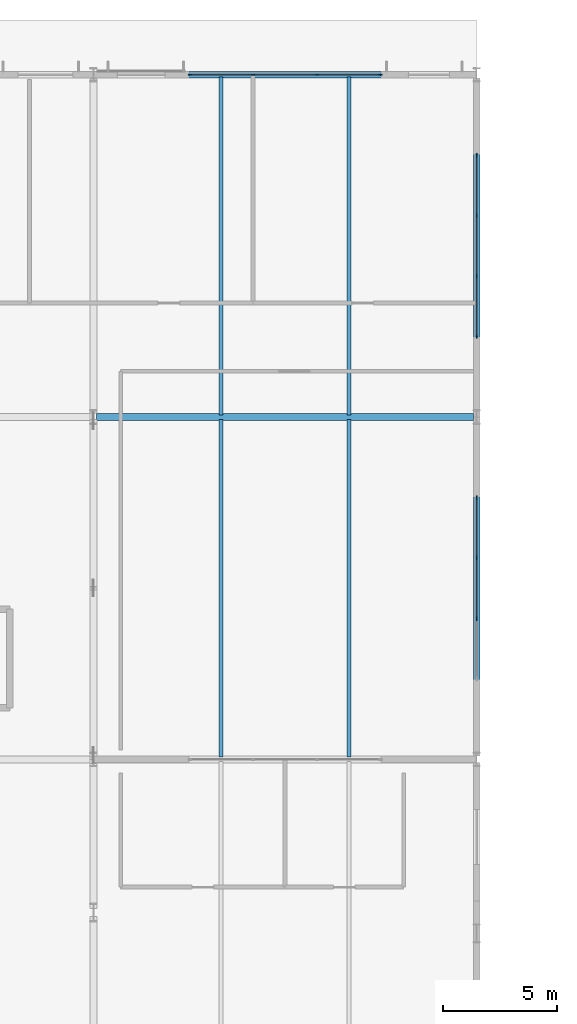
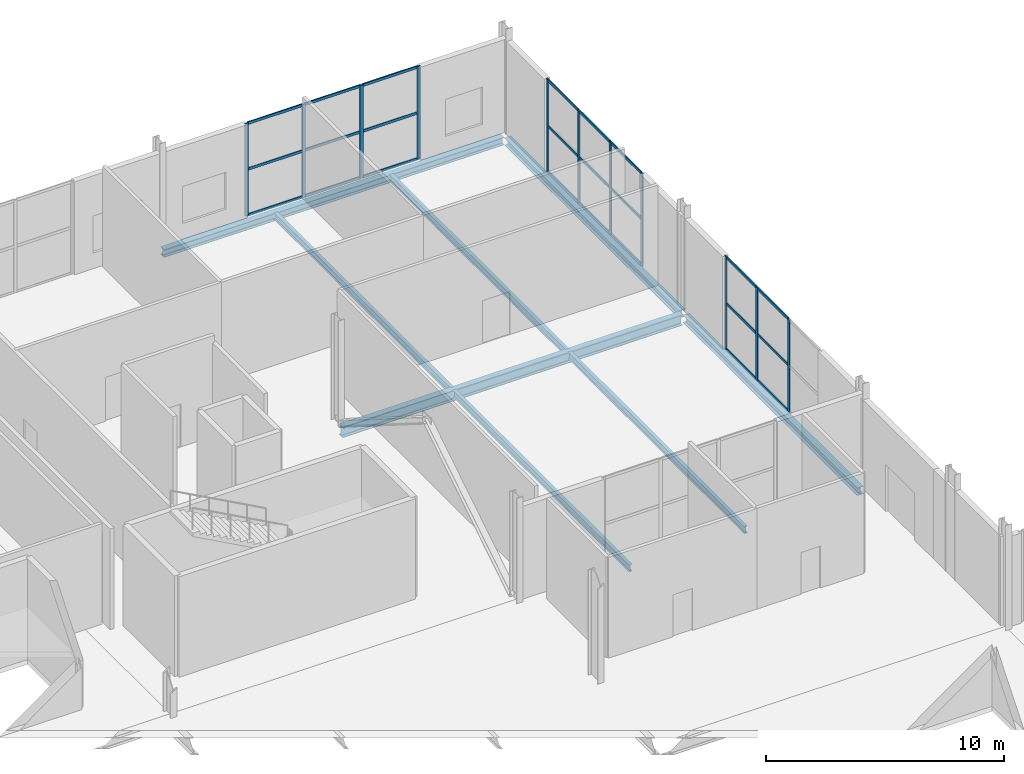
# One storey, part 51 of 87: 35 members, 8 beams, 3 elements without a shape of their own.
"""IFC4 building model written with IfcOpenShell, lengths in metres."""

from ifc_helpers import new_model, si_unit, direction, frame, origin, origin_2d, place, context, subcontext, project, spatial, rectangle, i_section, extrude, material, material_profile, profile_set, type_object, element, aggregate, save


model = new_model("IFC4")

# Units and contexts
model_context = context("Model", 3, precision=1e-05, world=origin(), true_north=direction((0.0, 1.0)))
body_context = subcontext(model_context, "Body", "Model", "MODEL_VIEW")
ifc_project = project(units=[si_unit("LENGTHUNIT", "METRE"), si_unit("AREAUNIT", "SQUARE_METRE"), si_unit("VOLUMEUNIT", "CUBIC_METRE"), si_unit("PLANEANGLEUNIT", "RADIAN"), si_unit("MASSUNIT", "GRAM", prefix="KILO")], contexts=[model_context])

# Site, building, storey
site_placement = place(None, origin())
site = spatial("IfcSite", under=ifc_project, at=site_placement, CompositionType="ELEMENT")
building_placement = place(site_placement, origin())
building = spatial("IfcBuilding", under=site, at=building_placement, Name="Kimbaza Rail Terminus", CompositionType="ELEMENT")
storey_placement = place(building_placement, origin())
storey = spatial("IfcBuildingStorey", under=building, at=storey_placement, Name="L00", CompositionType="ELEMENT", Elevation=0.0)

# Curtain wall, members
ifc_material_1 = material(Name="Anodised aluminium framing and solar low-E glazing", Category="aluminium")
curtain_wall_type = type_object("IfcCurtainWallType", Name="ARC-CW-OP1", PredefinedType="USERDEFINED", material=ifc_material_1)
curtain_wall_1_placement = place(storey_placement, origin())
curtain_wall_1 = element("IfcCurtainWall", 1, at=curtain_wall_1_placement, inside=storey, type_object=curtain_wall_type, Name="Operations North Curtain Wall L00 Bay 6", ObjectType="UNITISED CURTAIN WALL", PredefinedType="USERDEFINED")
ifc_material_2 = material(Name="Anodised architectural aluminium", Category="aluminium")
ifc_material_profile_1 = material_profile(ifc_material_2, rectangle(XDim=0.06201171875, YDim=0.1650390625, at=origin_2d()), Name="MULLION 62x165")
ifc_profile_set_1 = profile_set([ifc_material_profile_1], Name="Anodised architectural aluminium")
member_type_1 = type_object("IfcMemberType", Name="ARC-CWM-05", PredefinedType="MULLION", material=ifc_profile_set_1)
member_1_placement = place(storey_placement, frame((143.430908203125, 133.0, 0.0), z_axis=(0.0, 0.0, 1.0), x_axis=(0.0, 1.0, 0.0)))
member_1 = element("IfcMember", 2, at=member_1_placement, type_object=member_type_1, Name="CW-05 mullion 1", PredefinedType="MULLION", context=body_context, shape_type="SweptSolid", body=[
    extrude(rectangle(XDim=0.06201171875, YDim=0.1650390625, at=origin_2d()), origin(), (0.0, 0.0, 1.0), 4.764892578125),
])
member_2_placement = place(storey_placement, frame((146.199951171875, 133.0, 0.0), z_axis=(0.0, 0.0, 1.0), x_axis=(0.0, 1.0, 0.0)))
member_2 = element("IfcMember", 3, at=member_2_placement, type_object=member_type_1, Name="CW-05 mullion 2", PredefinedType="MULLION", context=body_context, shape_type="SweptSolid", body=[
    extrude(rectangle(XDim=0.06201171875, YDim=0.1650390625, at=origin_2d()), origin(), (0.0, 0.0, 1.0), 4.764892578125),
])
member_3_placement = place(storey_placement, frame((149.0, 133.0, 0.0), z_axis=(0.0, 0.0, 1.0), x_axis=(0.0, 1.0, 0.0)))
member_3 = element("IfcMember", 4, at=member_3_placement, type_object=member_type_1, Name="CW-05 mullion 3", PredefinedType="MULLION", context=body_context, shape_type="SweptSolid", body=[
    extrude(rectangle(XDim=0.06201171875, YDim=0.1650390625, at=origin_2d()), origin(), (0.0, 0.0, 1.0), 4.764892578125),
])
member_4_placement = place(storey_placement, frame((151.76904296875, 133.0, 0.0), z_axis=(0.0, 0.0, 1.0), x_axis=(0.0, 1.0, 0.0)))
member_4 = element("IfcMember", 5, at=member_4_placement, type_object=member_type_1, Name="CW-05 mullion 4", PredefinedType="MULLION", context=body_context, shape_type="SweptSolid", body=[
    extrude(rectangle(XDim=0.06201171875, YDim=0.1650390625, at=origin_2d()), origin(), (0.0, 0.0, 1.0), 4.764892578125),
])

curtain_wall_2_placement = place(storey_placement, origin())
curtain_wall_2 = element("IfcCurtainWall", 6, at=curtain_wall_2_placement, inside=storey, type_object=curtain_wall_type, Name="Operations E Curtain Wall L00.1", ObjectType="UNITISED CURTAIN WALL", PredefinedType="USERDEFINED")
member_5_placement = place(storey_placement, frame((156.0, 109.166748046875, 0.0), z_axis=(0.0, 0.0, 1.0), x_axis=(-1.0, 0.0, 0.0)))
member_5 = element("IfcMember", 7, at=member_5_placement, type_object=member_type_1, Name="CW-05 mullion 2", PredefinedType="MULLION", context=body_context, shape_type="SweptSolid", body=[
    extrude(rectangle(XDim=0.06201171875, YDim=0.1650390625, at=origin_2d()), origin(), (0.0, 0.0, 1.0), 4.764892578125),
])
member_6_placement = place(storey_placement, frame((156.0, 111.833251953125, 0.0), z_axis=(0.0, 0.0, 1.0), x_axis=(-1.0, 0.0, 0.0)))
member_6 = element("IfcMember", 8, at=member_6_placement, type_object=member_type_1, Name="CW-05 mullion 3", PredefinedType="MULLION", context=body_context, shape_type="SweptSolid", body=[
    extrude(rectangle(XDim=0.06201171875, YDim=0.1650390625, at=origin_2d()), origin(), (0.0, 0.0, 1.0), 4.764892578125),
])
member_7_placement = place(storey_placement, frame((156.0, 114.468994140625, 0.0), z_axis=(0.0, 0.0, 1.0), x_axis=(-1.0, 0.0, 0.0)))
member_7 = element("IfcMember", 9, at=member_7_placement, type_object=member_type_1, Name="CW-05 mullion 4", PredefinedType="MULLION", context=body_context, shape_type="SweptSolid", body=[
    extrude(rectangle(XDim=0.06201171875, YDim=0.1650390625, at=origin_2d()), origin(), (0.0, 0.0, 1.0), 4.764892578125),
])

curtain_wall_3_placement = place(storey_placement, origin())
curtain_wall_3 = element("IfcCurtainWall", 10, at=curtain_wall_3_placement, inside=storey, type_object=curtain_wall_type, Name="Operations E Curtain Wall L00.2", ObjectType="UNITISED CURTAIN WALL", PredefinedType="USERDEFINED")
member_8_placement = place(storey_placement, frame((156.0, 121.531005859375, 0.0), z_axis=(0.0, 0.0, 1.0), x_axis=(-1.0, 0.0, 0.0)))
member_8 = element("IfcMember", 11, at=member_8_placement, type_object=member_type_1, Name="CW-05 mullion 1", PredefinedType="MULLION", context=body_context, shape_type="SweptSolid", body=[
    extrude(rectangle(XDim=0.06201171875, YDim=0.1650390625, at=origin_2d()), origin(), (0.0, 0.0, 1.0), 4.764892578125),
])
member_9_placement = place(storey_placement, frame((156.0, 124.166748046875, 0.0), z_axis=(0.0, 0.0, 1.0), x_axis=(-1.0, 0.0, 0.0)))
member_9 = element("IfcMember", 12, at=member_9_placement, type_object=member_type_1, Name="CW-05 mullion 2", PredefinedType="MULLION", context=body_context, shape_type="SweptSolid", body=[
    extrude(rectangle(XDim=0.06201171875, YDim=0.1650390625, at=origin_2d()), origin(), (0.0, 0.0, 1.0), 4.764892578125),
])
member_10_placement = place(storey_placement, frame((156.0, 126.833251953125, 0.0), z_axis=(0.0, 0.0, 1.0), x_axis=(-1.0, 0.0, 0.0)))
member_10 = element("IfcMember", 13, at=member_10_placement, type_object=member_type_1, Name="CW-05 mullion 3", PredefinedType="MULLION", context=body_context, shape_type="SweptSolid", body=[
    extrude(rectangle(XDim=0.06201171875, YDim=0.1650390625, at=origin_2d()), origin(), (0.0, 0.0, 1.0), 4.764892578125),
])
member_11_placement = place(storey_placement, frame((156.0, 129.468994140625, 0.0), z_axis=(0.0, 0.0, 1.0), x_axis=(-1.0, 0.0, 0.0)))
member_11 = element("IfcMember", 14, at=member_11_placement, type_object=member_type_1, Name="CW-05 mullion 4", PredefinedType="MULLION", context=body_context, shape_type="SweptSolid", body=[
    extrude(rectangle(XDim=0.06201171875, YDim=0.1650390625, at=origin_2d()), origin(), (0.0, 0.0, 1.0), 4.764892578125),
])

# Member
ifc_material_3 = material(Name="Anodised architectural aluminium", Category="aluminium")
ifc_material_profile_2 = material_profile(ifc_material_3, rectangle(XDim=0.06201171875, YDim=0.135009765625, at=origin_2d()), Name="TRANSOM 62x135")
ifc_profile_set_2 = profile_set([ifc_material_profile_2], Name="Anodised architectural aluminium")
member_type_2 = type_object("IfcMemberType", Name="ARC-CWT-05", PredefinedType="USERDEFINED", material=ifc_profile_set_2)
member_12_placement = place(storey_placement, frame((143.4619140625, 133.0, 0.031005859375), z_axis=(1.0, 0.0, 0.0), x_axis=(0.0, 1.0, 0.0)))
member_12 = element("IfcMember", 15, at=member_12_placement, type_object=member_type_2, Name="CW-05 transom 1.1", ObjectType="TRANSOM", PredefinedType="USERDEFINED", context=body_context, shape_type="SweptSolid", body=[
    extrude(rectangle(XDim=0.06201171875, YDim=0.135009765625, at=origin_2d()), origin(), (0.0, 0.0, 1.0), 2.70703125),
])

member_13_placement = place(storey_placement, frame((143.4619140625, 133.0, 2.382568359375), z_axis=(1.0, 0.0, 0.0), x_axis=(0.0, 1.0, 0.0)))
member_13 = element("IfcMember", 16, at=member_13_placement, type_object=member_type_2, Name="CW-05 transom 1.2", ObjectType="TRANSOM", PredefinedType="USERDEFINED", context=body_context, shape_type="SweptSolid", body=[
    extrude(rectangle(XDim=0.06201171875, YDim=0.135009765625, at=origin_2d()), origin(), (0.0, 0.0, 1.0), 2.70703125),
])

member_14_placement = place(storey_placement, frame((143.4619140625, 133.0, 4.73388671875), z_axis=(1.0, 0.0, 0.0), x_axis=(0.0, 1.0, 0.0)))
member_14 = element("IfcMember", 17, at=member_14_placement, type_object=member_type_2, Name="CW-05 transom 1.3", ObjectType="TRANSOM", PredefinedType="USERDEFINED", context=body_context, shape_type="SweptSolid", body=[
    extrude(rectangle(XDim=0.06201171875, YDim=0.135009765625, at=origin_2d()), origin(), (0.0, 0.0, 1.0), 2.70703125),
])

member_15_placement = place(storey_placement, frame((146.23095703125, 133.0, 0.031005859375), z_axis=(1.0, 0.0, 0.0), x_axis=(0.0, 1.0, 0.0)))
member_15 = element("IfcMember", 18, at=member_15_placement, type_object=member_type_2, Name="CW-05 transom 2.1", ObjectType="TRANSOM", PredefinedType="USERDEFINED", context=body_context, shape_type="SweptSolid", body=[
    extrude(rectangle(XDim=0.06201171875, YDim=0.135009765625, at=origin_2d()), origin(), (0.0, 0.0, 1.0), 2.738037109375),
])

member_16_placement = place(storey_placement, frame((146.23095703125, 133.0, 2.382568359375), z_axis=(1.0, 0.0, 0.0), x_axis=(0.0, 1.0, 0.0)))
member_16 = element("IfcMember", 19, at=member_16_placement, type_object=member_type_2, Name="CW-05 transom 2.2", ObjectType="TRANSOM", PredefinedType="USERDEFINED", context=body_context, shape_type="SweptSolid", body=[
    extrude(rectangle(XDim=0.06201171875, YDim=0.135009765625, at=origin_2d()), origin(), (0.0, 0.0, 1.0), 2.738037109375),
])

member_17_placement = place(storey_placement, frame((146.23095703125, 133.0, 4.73388671875), z_axis=(1.0, 0.0, 0.0), x_axis=(0.0, 1.0, 0.0)))
member_17 = element("IfcMember", 20, at=member_17_placement, type_object=member_type_2, Name="CW-05 transom 2.3", ObjectType="TRANSOM", PredefinedType="USERDEFINED", context=body_context, shape_type="SweptSolid", body=[
    extrude(rectangle(XDim=0.06201171875, YDim=0.135009765625, at=origin_2d()), origin(), (0.0, 0.0, 1.0), 2.738037109375),
])

member_18_placement = place(storey_placement, frame((149.031005859375, 133.0, 0.031005859375), z_axis=(1.0, 0.0, 0.0), x_axis=(0.0, 1.0, 0.0)))
member_18 = element("IfcMember", 21, at=member_18_placement, type_object=member_type_2, Name="CW-05 transom 3.1", ObjectType="TRANSOM", PredefinedType="USERDEFINED", context=body_context, shape_type="SweptSolid", body=[
    extrude(rectangle(XDim=0.06201171875, YDim=0.135009765625, at=origin_2d()), origin(), (0.0, 0.0, 1.0), 2.70703125),
])

member_19_placement = place(storey_placement, frame((149.031005859375, 133.0, 2.382568359375), z_axis=(1.0, 0.0, 0.0), x_axis=(0.0, 1.0, 0.0)))
member_19 = element("IfcMember", 22, at=member_19_placement, type_object=member_type_2, Name="CW-05 transom 3.2", ObjectType="TRANSOM", PredefinedType="USERDEFINED", context=body_context, shape_type="SweptSolid", body=[
    extrude(rectangle(XDim=0.06201171875, YDim=0.135009765625, at=origin_2d()), origin(), (0.0, 0.0, 1.0), 2.70703125),
])

member_20_placement = place(storey_placement, frame((149.031005859375, 133.0, 4.73388671875), z_axis=(1.0, 0.0, 0.0), x_axis=(0.0, 1.0, 0.0)))
member_20 = element("IfcMember", 23, at=member_20_placement, type_object=member_type_2, Name="CW-05 transom 3.3", ObjectType="TRANSOM", PredefinedType="USERDEFINED", context=body_context, shape_type="SweptSolid", body=[
    extrude(rectangle(XDim=0.06201171875, YDim=0.135009765625, at=origin_2d()), origin(), (0.0, 0.0, 1.0), 2.70703125),
])

aggregate(curtain_wall_1, [member_1, member_2, member_3, member_4, member_12, member_13, member_14, member_15, member_16, member_17, member_18, member_19, member_20])

member_21_placement = place(storey_placement, frame((156.0, 109.19775390625, 0.031005859375), z_axis=(0.0, 1.0, 0.0), x_axis=(-1.0, 0.0, 0.0)))
member_21 = element("IfcMember", 24, at=member_21_placement, type_object=member_type_2, Name="CW-05 transom 2.1", ObjectType="TRANSOM", PredefinedType="USERDEFINED", context=body_context, shape_type="SweptSolid", body=[
    extrude(rectangle(XDim=0.06201171875, YDim=0.135009765625, at=origin_2d()), origin(), (0.0, 0.0, 1.0), 2.6044921875),
])

member_22_placement = place(storey_placement, frame((156.0, 109.19775390625, 2.382568359375), z_axis=(0.0, 1.0, 0.0), x_axis=(-1.0, 0.0, 0.0)))
member_22 = element("IfcMember", 25, at=member_22_placement, type_object=member_type_2, Name="CW-05 transom 2.2", ObjectType="TRANSOM", PredefinedType="USERDEFINED", context=body_context, shape_type="SweptSolid", body=[
    extrude(rectangle(XDim=0.06201171875, YDim=0.135009765625, at=origin_2d()), origin(), (0.0, 0.0, 1.0), 2.6044921875),
])

member_23_placement = place(storey_placement, frame((156.0, 109.19775390625, 4.73388671875), z_axis=(0.0, 1.0, 0.0), x_axis=(-1.0, 0.0, 0.0)))
member_23 = element("IfcMember", 26, at=member_23_placement, type_object=member_type_2, Name="CW-05 transom 2.3", ObjectType="TRANSOM", PredefinedType="USERDEFINED", context=body_context, shape_type="SweptSolid", body=[
    extrude(rectangle(XDim=0.06201171875, YDim=0.135009765625, at=origin_2d()), origin(), (0.0, 0.0, 1.0), 2.6044921875),
])

member_24_placement = place(storey_placement, frame((156.0, 111.8642578125, 0.031005859375), z_axis=(0.0, 1.0, 0.0), x_axis=(-1.0, 0.0, 0.0)))
member_24 = element("IfcMember", 27, at=member_24_placement, type_object=member_type_2, Name="CW-05 transom 3.1", ObjectType="TRANSOM", PredefinedType="USERDEFINED", context=body_context, shape_type="SweptSolid", body=[
    extrude(rectangle(XDim=0.06201171875, YDim=0.135009765625, at=origin_2d()), origin(), (0.0, 0.0, 1.0), 2.57373046875),
])

member_25_placement = place(storey_placement, frame((156.0, 111.8642578125, 2.382568359375), z_axis=(0.0, 1.0, 0.0), x_axis=(-1.0, 0.0, 0.0)))
member_25 = element("IfcMember", 28, at=member_25_placement, type_object=member_type_2, Name="CW-05 transom 3.2", ObjectType="TRANSOM", PredefinedType="USERDEFINED", context=body_context, shape_type="SweptSolid", body=[
    extrude(rectangle(XDim=0.06201171875, YDim=0.135009765625, at=origin_2d()), origin(), (0.0, 0.0, 1.0), 2.57373046875),
])

member_26_placement = place(storey_placement, frame((156.0, 111.8642578125, 4.73388671875), z_axis=(0.0, 1.0, 0.0), x_axis=(-1.0, 0.0, 0.0)))
member_26 = element("IfcMember", 29, at=member_26_placement, type_object=member_type_2, Name="CW-05 transom 3.3", ObjectType="TRANSOM", PredefinedType="USERDEFINED", context=body_context, shape_type="SweptSolid", body=[
    extrude(rectangle(XDim=0.06201171875, YDim=0.135009765625, at=origin_2d()), origin(), (0.0, 0.0, 1.0), 2.57373046875),
])

aggregate(curtain_wall_2, [member_5, member_6, member_7, member_21, member_22, member_23, member_24, member_25, member_26])

member_27_placement = place(storey_placement, frame((156.0, 121.56201171875, 0.031005859375), z_axis=(0.0, 1.0, 0.0), x_axis=(-1.0, 0.0, 0.0)))
member_27 = element("IfcMember", 30, at=member_27_placement, type_object=member_type_2, Name="CW-05 transom 1.1", ObjectType="TRANSOM", PredefinedType="USERDEFINED", context=body_context, shape_type="SweptSolid", body=[
    extrude(rectangle(XDim=0.06201171875, YDim=0.135009765625, at=origin_2d()), origin(), (0.0, 0.0, 1.0), 2.57373046875),
])

member_28_placement = place(storey_placement, frame((156.0, 121.56201171875, 2.382568359375), z_axis=(0.0, 1.0, 0.0), x_axis=(-1.0, 0.0, 0.0)))
member_28 = element("IfcMember", 31, at=member_28_placement, type_object=member_type_2, Name="CW-05 transom 1.2", ObjectType="TRANSOM", PredefinedType="USERDEFINED", context=body_context, shape_type="SweptSolid", body=[
    extrude(rectangle(XDim=0.06201171875, YDim=0.135009765625, at=origin_2d()), origin(), (0.0, 0.0, 1.0), 2.57373046875),
])

member_29_placement = place(storey_placement, frame((156.0, 121.56201171875, 4.73388671875), z_axis=(0.0, 1.0, 0.0), x_axis=(-1.0, 0.0, 0.0)))
member_29 = element("IfcMember", 32, at=member_29_placement, type_object=member_type_2, Name="CW-05 transom 1.3", ObjectType="TRANSOM", PredefinedType="USERDEFINED", context=body_context, shape_type="SweptSolid", body=[
    extrude(rectangle(XDim=0.06201171875, YDim=0.135009765625, at=origin_2d()), origin(), (0.0, 0.0, 1.0), 2.57373046875),
])

member_30_placement = place(storey_placement, frame((156.0, 124.19775390625, 0.031005859375), z_axis=(0.0, 1.0, 0.0), x_axis=(-1.0, 0.0, 0.0)))
member_30 = element("IfcMember", 33, at=member_30_placement, type_object=member_type_2, Name="CW-05 transom 2.1", ObjectType="TRANSOM", PredefinedType="USERDEFINED", context=body_context, shape_type="SweptSolid", body=[
    extrude(rectangle(XDim=0.06201171875, YDim=0.135009765625, at=origin_2d()), origin(), (0.0, 0.0, 1.0), 2.6044921875),
])

member_31_placement = place(storey_placement, frame((156.0, 124.19775390625, 2.382568359375), z_axis=(0.0, 1.0, 0.0), x_axis=(-1.0, 0.0, 0.0)))
member_31 = element("IfcMember", 34, at=member_31_placement, type_object=member_type_2, Name="CW-05 transom 2.2", ObjectType="TRANSOM", PredefinedType="USERDEFINED", context=body_context, shape_type="SweptSolid", body=[
    extrude(rectangle(XDim=0.06201171875, YDim=0.135009765625, at=origin_2d()), origin(), (0.0, 0.0, 1.0), 2.6044921875),
])

member_32_placement = place(storey_placement, frame((156.0, 124.19775390625, 4.73388671875), z_axis=(0.0, 1.0, 0.0), x_axis=(-1.0, 0.0, 0.0)))
member_32 = element("IfcMember", 35, at=member_32_placement, type_object=member_type_2, Name="CW-05 transom 2.3", ObjectType="TRANSOM", PredefinedType="USERDEFINED", context=body_context, shape_type="SweptSolid", body=[
    extrude(rectangle(XDim=0.06201171875, YDim=0.135009765625, at=origin_2d()), origin(), (0.0, 0.0, 1.0), 2.6044921875),
])

member_33_placement = place(storey_placement, frame((156.0, 126.8642578125, 0.031005859375), z_axis=(0.0, 1.0, 0.0), x_axis=(-1.0, 0.0, 0.0)))
member_33 = element("IfcMember", 36, at=member_33_placement, type_object=member_type_2, Name="CW-05 transom 3.1", ObjectType="TRANSOM", PredefinedType="USERDEFINED", context=body_context, shape_type="SweptSolid", body=[
    extrude(rectangle(XDim=0.06201171875, YDim=0.135009765625, at=origin_2d()), origin(), (0.0, 0.0, 1.0), 2.57373046875),
])

member_34_placement = place(storey_placement, frame((156.0, 126.8642578125, 2.382568359375), z_axis=(0.0, 1.0, 0.0), x_axis=(-1.0, 0.0, 0.0)))
member_34 = element("IfcMember", 37, at=member_34_placement, type_object=member_type_2, Name="CW-05 transom 3.2", ObjectType="TRANSOM", PredefinedType="USERDEFINED", context=body_context, shape_type="SweptSolid", body=[
    extrude(rectangle(XDim=0.06201171875, YDim=0.135009765625, at=origin_2d()), origin(), (0.0, 0.0, 1.0), 2.57373046875),
])

member_35_placement = place(storey_placement, frame((156.0, 126.8642578125, 4.73388671875), z_axis=(0.0, 1.0, 0.0), x_axis=(-1.0, 0.0, 0.0)))
member_35 = element("IfcMember", 38, at=member_35_placement, type_object=member_type_2, Name="CW-05 transom 3.3", ObjectType="TRANSOM", PredefinedType="USERDEFINED", context=body_context, shape_type="SweptSolid", body=[
    extrude(rectangle(XDim=0.06201171875, YDim=0.135009765625, at=origin_2d()), origin(), (0.0, 0.0, 1.0), 2.57373046875),
])

aggregate(curtain_wall_3, [member_8, member_9, member_10, member_11, member_27, member_28, member_29, member_30, member_31, member_32, member_33, member_34, member_35])

# Beams
ifc_material_4 = material(Name="Steel S355", Category="steel")
ifc_material_profile_3 = material_profile(ifc_material_4, i_section(OverallWidth=0.300048828125, OverallDepth=0.389892578125, WebThickness=0.010986328125, FlangeThickness=0.01904296875, FilletRadius=0.027099609375, at=origin_2d()), Name="HEA 400")
ifc_profile_set_3 = profile_set([ifc_material_profile_3], Name="Steel S355")
beam_type_1 = type_object("IfcBeamType", Name="STR-BM-HEA400", PredefinedType="SPANDREL", material=ifc_profile_set_3)
beam_1_placement = place(storey_placement, frame((139.345947265625, 133.0, -0.43505859375), z_axis=(1.0, 0.0, 0.0), x_axis=(0.0, 1.0, 0.0)))
element("IfcBeam", 39, at=beam_1_placement, inside=storey, type_object=beam_type_1, Name="Operations Girder L00 X5-Y2", PredefinedType="SPANDREL", context=body_context, shape_type="SweptSolid", body=[
    extrude(i_section(OverallWidth=0.300048828125, OverallDepth=0.389892578125, WebThickness=0.010986328125, FlangeThickness=0.01904296875, FilletRadius=0.027099609375, at=origin_2d()), origin(), (0.0, 0.0, 1.0), 16.508056640625),
])
for number, where, z_axis, x_axis, name in (
    (40, (156.0, 103.175048828125, -0.43505859375), (0.0, 1.0, 0.0), (-1.0, 0.0, 0.0), "Operations Cross Girder L00 X6-Y0"),
    (41, (156.0, 118.175048828125, -0.43505859375), (0.0, 1.0, 0.0), (-1.0, 0.0, 0.0), "Operations Cross Girder L00 X6-Y1"),
):
    element("IfcBeam", number, at=place(storey_placement, frame(where, z_axis=z_axis, x_axis=x_axis)), inside=storey, type_object=beam_type_1, Name=name, PredefinedType="SPANDREL", context=body_context, shape_type="SweptSolid", body=[
        extrude(i_section(OverallWidth=0.300048828125, OverallDepth=0.389892578125, WebThickness=0.010986328125, FlangeThickness=0.01904296875, FilletRadius=0.027099609375, at=origin_2d()), origin(), (0.0, 0.0, 1.0), 14.64990234375),
    ])
ifc_material_5 = material(Name="Steel S355", Category="steel")
ifc_material_profile_4 = material_profile(ifc_material_5, i_section(OverallWidth=0.300048828125, OverallDepth=0.550048828125, WebThickness=0.014892578125, FlangeThickness=0.029052734375, FilletRadius=0.027099609375, at=origin_2d()), Name="HEB 550")
ifc_profile_set_4 = profile_set([ifc_material_profile_4], Name="Steel S355")
beam_type_2 = type_object("IfcBeamType", Name="STR-BM-HEB550", PredefinedType="BEAM", material=ifc_profile_set_4)
beam_2_placement = place(storey_placement, frame((139.345947265625, 118.0, -0.514892578125), z_axis=(1.0, 0.0, 0.0), x_axis=(0.0, 1.0, 0.0)))
element("IfcBeam", 42, at=beam_2_placement, inside=storey, type_object=beam_type_2, Name="Operations Girder L00 X5-Y1", PredefinedType="BEAM", context=body_context, shape_type="SweptSolid", body=[
    extrude(i_section(OverallWidth=0.300048828125, OverallDepth=0.550048828125, WebThickness=0.014892578125, FlangeThickness=0.029052734375, FilletRadius=0.027099609375, at=origin_2d()), origin(), (0.0, 0.0, 1.0), 16.508056640625),
])
ifc_material_6 = material(Name="Steel S355", Category="steel")
ifc_material_profile_5 = material_profile(ifc_material_6, i_section(OverallWidth=0.169921875, OverallDepth=0.360107421875, WebThickness=0.008056640625, FlangeThickness=0.0126953125, FilletRadius=0.01806640625, at=origin_2d()), Name="IPE 360")
ifc_profile_set_5 = profile_set([ifc_material_profile_5], Name="Steel S355")
beam_type_3 = type_object("IfcBeamType", Name="STR-BM-IPE360", PredefinedType="JOIST", material=ifc_profile_set_5)
for number, where, z_axis, x_axis, name in (
    (43, (144.800048828125, 103.10009765625, -0.419921875), (0.0, 1.0, 0.0), (-1.0, 0.0, 0.0), "Operations Secondary Joist L00"),
    (44, (144.800048828125, 118.10009765625, -0.419921875), (0.0, 1.0, 0.0), (-1.0, 0.0, 0.0), "Operations Secondary Joist L00"),
    (45, (150.39990234375, 103.10009765625, -0.419921875), (0.0, 1.0, 0.0), (-1.0, 0.0, 0.0), "Operations Secondary Joist L00"),
    (46, (150.39990234375, 118.10009765625, -0.419921875), (0.0, 1.0, 0.0), (-1.0, 0.0, 0.0), "Operations Secondary Joist L00"),
):
    element("IfcBeam", number, at=place(storey_placement, frame(where, z_axis=z_axis, x_axis=x_axis)), inside=storey, type_object=beam_type_3, Name=name, PredefinedType="JOIST", context=body_context, shape_type="SweptSolid", body=[
        extrude(i_section(OverallWidth=0.169921875, OverallDepth=0.360107421875, WebThickness=0.008056640625, FlangeThickness=0.0126953125, FilletRadius=0.01806640625, at=origin_2d()), origin(), (0.0, 0.0, 1.0), 14.7998046875),
    ])

save(model, "model.ifc")
